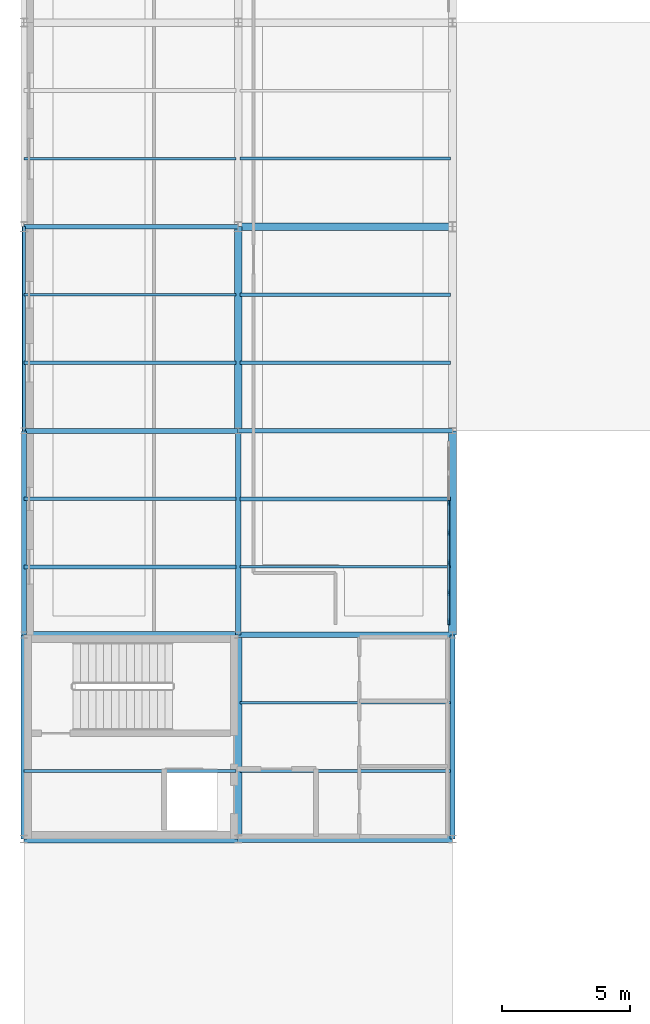
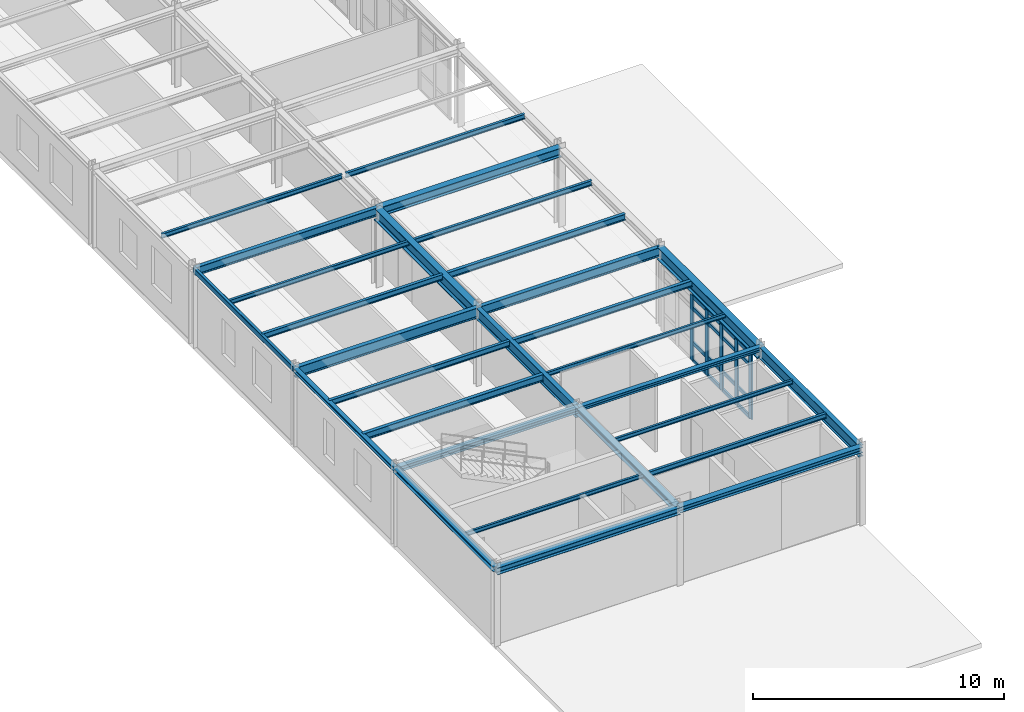
# One storey, part 14 of 58: 29 beams, 21 members, 1 element without a shape of its own.
"""IFC4 building model written with IfcOpenShell, lengths in metres."""

import ifcopenshell
import ifcopenshell.guid

model = None  # the IFC model being written
_history = None  # IfcOwnerHistory: only IFC2X3 demands one
_inside = {}  # id of a spatial element -> (the spatial element, [elements in it])
_under = {}  # id of a project, library or spatial element -> (it, [spatial elements below it])
_declared = {}  # id of a project -> (the project, [libraries it declares])
_typed = {}  # id of a type object -> (the type object, [elements of that type])
_made_of = {}  # id of a material, layer set ... -> (it, [elements and type objects made of it])


def new_model(schema):
    """Start an empty IFC model of exactly this schema.

    Asked for "IFC4X3", IfcOpenShell would pick the latest addendum, in which some entities
    have other attributes; the version numbers below select the first issue.
    IFC2X3 requires an IfcOwnerHistory on every rooted entity: one is made here for all.
    """
    global model, _history
    if schema == "IFC4X3":
        model = ifcopenshell.file(schema_version=(4, 3, 0, 0))
    else:
        model = ifcopenshell.file(schema=schema)
    _inside.clear()
    _under.clear()
    _declared.clear()
    _typed.clear()
    _made_of.clear()
    _history = None
    if model.schema == "IFC2X3":
        org = make("IfcOrganization", Name="unknown")
        user = make(
            "IfcPersonAndOrganization",
            ThePerson=make("IfcPerson", FamilyName="unknown"),
            TheOrganization=org,
        )
        app = make(
            "IfcApplication",
            ApplicationDeveloper=org,
            Version="unknown",
            ApplicationFullName="unknown",
            ApplicationIdentifier="unknown",
        )
        _history = make(
            "IfcOwnerHistory",
            OwningUser=user,
            OwningApplication=app,
            ChangeAction="ADDED",
            CreationDate=0,
        )
    return model


def make(cls, **values):
    """One entity of the class cls with the attributes given. An attribute that is None is left unset."""
    return model.create_entity(
        cls, **{name: value for name, value in values.items() if value is not None}
    )


def rooted(cls, **values):
    """An entity with a GlobalId (a new one), such as an element, a storey or a relation."""
    return make(cls, GlobalId=ifcopenshell.guid.new(), OwnerHistory=_history, **values)


def si_unit(unit_type, name, prefix=None):
    """IfcSIUnit, for example si_unit("LENGTHUNIT", "METRE", prefix="MILLI")."""
    return make("IfcSIUnit", UnitType=unit_type, Prefix=prefix, Name=name)


def derived_unit(unit_type, elements):
    """IfcDerivedUnit: a product of units, each with its exponent."""
    return make(
        "IfcDerivedUnit",
        Elements=[
            make("IfcDerivedUnitElement", Unit=unit, Exponent=power)
            for unit, power in elements
        ],
        UnitType=unit_type,
    )


def assignment(units):
    """IfcUnitAssignment: the units of a project."""
    return None if units is None else make("IfcUnitAssignment", Units=units)


def point(xyz):
    """IfcCartesianPoint."""
    return None if xyz is None else make("IfcCartesianPoint", Coordinates=xyz)


def direction(xyz):
    """IfcDirection."""
    return None if xyz is None else make("IfcDirection", DirectionRatios=xyz)


def frame(location, z_axis=None, x_axis=None):
    """IfcAxis2Placement3D, a coordinate frame: its origin and axes. An axis left out is left unset."""
    return make(
        "IfcAxis2Placement3D",
        Location=point(location),
        Axis=direction(z_axis),
        RefDirection=direction(x_axis),
    )


def frame_2d(location, x_axis=None):
    """IfcAxis2Placement2D, a coordinate frame in the plane: its origin and x axis."""
    return make(
        "IfcAxis2Placement2D", Location=point(location), RefDirection=direction(x_axis)
    )


def origin():
    """The frame at (0, 0, 0) with its axes left unset."""
    return frame((0.0, 0.0, 0.0))


def origin_2d():
    """The frame at (0, 0) in the plane with its x axis left unset."""
    return frame_2d((0.0, 0.0))


def place(relative_to, where):
    """IfcLocalPlacement: puts the frame where relative to a parent placement (None: the world)."""
    return make(
        "IfcLocalPlacement", PlacementRelTo=relative_to, RelativePlacement=where
    )


def context(
    kind, dimensions, precision=None, world=None, true_north=None, identifier=None
):
    """IfcGeometricRepresentationContext, for example the 3D "Model" context."""
    return make(
        "IfcGeometricRepresentationContext",
        ContextIdentifier=identifier,
        ContextType=kind,
        CoordinateSpaceDimension=dimensions,
        Precision=precision,
        WorldCoordinateSystem=world,
        TrueNorth=true_north,
    )


def subcontext(parent, identifier, kind, view, scale=None):
    """IfcGeometricRepresentationSubContext, for example "Body" below "Model"."""
    return make(
        "IfcGeometricRepresentationSubContext",
        ContextIdentifier=identifier,
        ContextType=kind,
        ParentContext=parent,
        TargetScale=scale,
        TargetView=view,
    )


def project(units=None, contexts=None):
    """IfcProject with its units and contexts."""
    return rooted(
        "IfcProject",
        Name="project",
        RepresentationContexts=contexts,
        UnitsInContext=assignment(units),
    )


def spatial(cls, under=None, at=None, **own):
    """A site, building, storey or space (cls), placed at a placement, below another one or the project."""
    s = rooted(cls, ObjectPlacement=at, **own)
    if under is not None:
        _under.setdefault(under.id(), (under, []))[1].append(s)
    return s


def profile(cls, at=None, kind="AREA", **sizes):
    """A parametric profile (cls). Its sizes go by their IFC names, for example OverallWidth=200.0."""
    return make(cls, ProfileType=kind, Position=at, **sizes)


def rectangle(**sizes):
    """IfcRectangleProfileDef."""
    return profile("IfcRectangleProfileDef", **sizes)


def hollow_rectangle(**sizes):
    """IfcRectangleHollowProfileDef."""
    return profile("IfcRectangleHollowProfileDef", **sizes)


def i_section(**sizes):
    """IfcIShapeProfileDef."""
    return profile("IfcIShapeProfileDef", **sizes)


def extrude(swept, where, along, depth):
    """IfcExtrudedAreaSolid: the profile swept, set in the frame where, extruded along a direction by depth."""
    return make(
        "IfcExtrudedAreaSolid",
        SweptArea=swept,
        Position=where,
        ExtrudedDirection=direction(along),
        Depth=depth,
    )


def shape(context_of_items, identifier, shape_type, items):
    """IfcShapeRepresentation: the items that make up one representation, for example the "Body"."""
    return make(
        "IfcShapeRepresentation",
        ContextOfItems=context_of_items,
        RepresentationIdentifier=identifier,
        RepresentationType=shape_type,
        Items=items,
    )


def material(Name=None, Category=None):
    """IfcMaterial."""
    return make("IfcMaterial", Name=Name, Category=Category)


def layer(
    of_material, thickness, ventilated=None, Name=None, Category=None, Priority=None
):
    """IfcMaterialLayer: one layer of a wall or slab, of a material (None: an air gap)."""
    return make(
        "IfcMaterialLayer",
        Material=of_material,
        LayerThickness=thickness,
        IsVentilated=ventilated,
        Name=Name,
        Category=Category,
        Priority=Priority,
    )


def layer_set(layers, Name=None):
    """IfcMaterialLayerSet."""
    return make("IfcMaterialLayerSet", MaterialLayers=layers, LayerSetName=Name)


def material_profile(
    of_material, cross_section, Name=None, Category=None, Priority=None
):
    """IfcMaterialProfile: a cross section and its material."""
    return make(
        "IfcMaterialProfile",
        Name=Name,
        Material=of_material,
        Profile=cross_section,
        Priority=Priority,
        Category=Category,
    )


def profile_set(profiles, Name=None, composite=None):
    """IfcMaterialProfileSet."""
    return make(
        "IfcMaterialProfileSet",
        Name=Name,
        MaterialProfiles=profiles,
        CompositeProfile=composite,
    )


def made_of(thing, what):
    """Note that an element or type object is made of a material, layer set ...; save() writes the relation."""
    if what is not None:
        _made_of.setdefault(what.id(), (what, []))[1].append(thing)
    return thing


def type_object(cls, material=None, **own):
    """A type object (cls), such as IfcWallType, which elements share."""
    return made_of(rooted(cls, **own), material)


def element(
    cls,
    number,
    at=None,
    inside=None,
    cuts=None,
    type_object=None,
    material=None,
    context=None,
    identifier="Body",
    shape_type=None,
    held_by="IfcProductDefinitionShape",
    body=None,
    shapes=None,
    **own,
):
    """One element of the class cls, such as IfcWall. Its Tag is "e" and its number.

    at: its placement. inside: the storey or other place that contains it. cuts: it is an
    opening in that element (IfcRelVoidsElement). A single representation is given by context,
    identifier, shape_type and body (its items); several are given by shapes. held_by: the class
    of the entity that holds the representations. save() writes the other relations.
    """
    e = rooted(cls, Tag="e%d" % number, ObjectPlacement=at, **own)
    if body is not None:
        shapes = [shape(context, identifier, shape_type, body)]
    if shapes is not None:
        e.Representation = make(held_by, Representations=shapes)
    if inside is not None:
        _inside.setdefault(inside.id(), (inside, []))[1].append(e)
    if cuts is not None:
        rooted(
            "IfcRelVoidsElement", RelatingBuildingElement=cuts, RelatedOpeningElement=e
        )
    if type_object is not None:
        _typed.setdefault(type_object.id(), (type_object, []))[1].append(e)
    return made_of(e, material)


def aggregate(whole, parts):
    """IfcRelAggregates: a whole, such as a stair, and the parts it consists of."""
    return rooted("IfcRelAggregates", RelatingObject=whole, RelatedObjects=parts)


def save(model, path):
    """Write the relations noted so far, then the file.

    IfcRelAggregates (storeys below a building ...), IfcRelContainedInSpatialStructure (elements
    in a storey), IfcRelDefinesByType, IfcRelAssociatesMaterial and IfcRelDeclares: one each for
    every whole, place, type object, material and project.
    """
    for whole, parts in _under.values():
        aggregate(whole, parts)
    for where, things in _inside.values():
        rooted(
            "IfcRelContainedInSpatialStructure",
            RelatedElements=things,
            RelatingStructure=where,
        )
    for kind, things in _typed.values():
        rooted("IfcRelDefinesByType", RelatedObjects=things, RelatingType=kind)
    for what, things in _made_of.values():
        rooted("IfcRelAssociatesMaterial", RelatedObjects=things, RelatingMaterial=what)
    for by, libraries in _declared.values():
        rooted("IfcRelDeclares", RelatingContext=by, RelatedDefinitions=libraries)
    model.write(path)


model = new_model("IFC4")

# Units and contexts
model_context = context("Model", 3, precision=1e-05, world=origin(), true_north=direction((0.0, 1.0)))
body_context = subcontext(model_context, "Body", "Model", "MODEL_VIEW")
ifc_project = project(units=[si_unit("LENGTHUNIT", "METRE"), si_unit("AREAUNIT", "SQUARE_METRE"), si_unit("VOLUMEUNIT", "CUBIC_METRE"), si_unit("PLANEANGLEUNIT", "RADIAN"), si_unit("MASSUNIT", "GRAM", prefix="KILO"), derived_unit("THERMALTRANSMITTANCEUNIT", [(si_unit("POWERUNIT", "WATT"), 1), (si_unit("AREAUNIT", "SQUARE_METRE"), -1), (si_unit("THERMODYNAMICTEMPERATUREUNIT", "KELVIN"), -1)])], contexts=[model_context])

# Site, building, storey
site_placement = place(None, origin())
site = spatial("IfcSite", under=ifc_project, at=site_placement, CompositionType="ELEMENT")
building_placement = place(site_placement, origin())
building = spatial("IfcBuilding", under=site, at=building_placement, Name="Yasenodar Specialist Clinic", CompositionType="ELEMENT")
storey_placement = place(building_placement, frame((0.0, 0.0, 17.25)))
storey = spatial("IfcBuildingStorey", under=building, at=storey_placement, Name="L04", CompositionType="ELEMENT", Elevation=17.25)

# Beams
ifc_material_1 = material(Name="Steel S355", Category="steel")
ifc_material_profile_1 = material_profile(ifc_material_1, i_section(OverallWidth=0.219970703125, OverallDepth=0.2099609375, WebThickness=0.007080078125, FlangeThickness=0.010986328125, FilletRadius=0.01806640625, at=origin_2d()), Name="HEA 220")
ifc_profile_set_1 = profile_set([ifc_material_profile_1], Name="Steel S355")
beam_type_1 = type_object("IfcBeamType", Name="BM-HEA220", PredefinedType="BEAM", material=ifc_profile_set_1)
beam_1_placement = place(storey_placement, frame((8.39990234375, 42.800048828125, 3.695068359375), z_axis=(1.0, 0.0, 0.0), x_axis=(0.0, 1.0, 0.0)))
element("IfcBeam", 1, at=beam_1_placement, inside=storey, type_object=beam_type_1, Name="L04 Primary E-W Girder", PredefinedType="BEAM", context=body_context, shape_type="SweptSolid", body=[
    extrude(i_section(OverallWidth=0.219970703125, OverallDepth=0.2099609375, WebThickness=0.007080078125, FlangeThickness=0.010986328125, FilletRadius=0.01806640625, at=origin_2d()), origin(), (0.0, 0.0, 1.0), 8.400146484375),
])
ifc_material_profile_2 = material_profile(ifc_material_1, i_section(OverallWidth=0.260009765625, OverallDepth=0.25, WebThickness=0.007568359375, FlangeThickness=0.012451171875, FilletRadius=0.02392578125, at=origin_2d()), Name="HEA 260")
ifc_profile_set_2 = profile_set([ifc_material_profile_2], Name="Steel S355")
beam_type_2 = type_object("IfcBeamType", Name="BM-HEA260", PredefinedType="BEAM", material=ifc_profile_set_2)
beam_2_placement = place(storey_placement, frame((0.0, 42.800048828125, 3.675048828125), z_axis=(1.0, 0.0, 0.0), x_axis=(0.0, 1.0, 0.0)))
element("IfcBeam", 2, at=beam_2_placement, inside=storey, type_object=beam_type_2, Name="L04 Primary E-W Girder", PredefinedType="BEAM", context=body_context, shape_type="SweptSolid", body=[
    extrude(i_section(OverallWidth=0.260009765625, OverallDepth=0.25, WebThickness=0.007568359375, FlangeThickness=0.012451171875, FilletRadius=0.02392578125, at=origin_2d()), origin(), (0.0, 0.0, 1.0), 8.39990234375),
])
ifc_material_profile_3 = material_profile(ifc_material_1, i_section(OverallWidth=0.280029296875, OverallDepth=0.27001953125, WebThickness=0.008056640625, FlangeThickness=0.012939453125, FilletRadius=0.02392578125, at=origin_2d()), Name="HEA 280")
ifc_profile_set_3 = profile_set([ifc_material_profile_3], Name="Steel S355")
beam_type_3 = type_object("IfcBeamType", Name="BM-HEA280", PredefinedType="BEAM", material=ifc_profile_set_3)
beam_3_placement = place(storey_placement, frame((8.39990234375, 34.800048828125, 3.6650390625), z_axis=(1.0, 0.0, 0.0), x_axis=(0.0, 1.0, 0.0)))
element("IfcBeam", 3, at=beam_3_placement, inside=storey, type_object=beam_type_3, Name="L04 Primary E-W Girder", PredefinedType="BEAM", context=body_context, shape_type="SweptSolid", body=[
    extrude(i_section(OverallWidth=0.280029296875, OverallDepth=0.27001953125, WebThickness=0.008056640625, FlangeThickness=0.012939453125, FilletRadius=0.02392578125, at=origin_2d()), origin(), (0.0, 0.0, 1.0), 8.400146484375),
])
ifc_material_profile_4 = material_profile(ifc_material_1, i_section(OverallWidth=0.300048828125, OverallDepth=0.2900390625, WebThickness=0.008544921875, FlangeThickness=0.013916015625, FilletRadius=0.027099609375, at=origin_2d()), Name="HEA 300")
ifc_profile_set_4 = profile_set([ifc_material_profile_4], Name="Steel S355")
beam_type_4 = type_object("IfcBeamType", Name="BM-HEA300", PredefinedType="BEAM", material=ifc_profile_set_4)
beam_4_placement = place(storey_placement, frame((8.39990234375, 34.800048828125, 3.655029296875), z_axis=(0.0, 1.0, 0.0), x_axis=(-1.0, 0.0, 0.0)))
element("IfcBeam", 4, at=beam_4_placement, inside=storey, type_object=beam_type_4, Name="L04 Primary N-S Girder", PredefinedType="BEAM", context=body_context, shape_type="SweptSolid", body=[
    extrude(i_section(OverallWidth=0.300048828125, OverallDepth=0.2900390625, WebThickness=0.008544921875, FlangeThickness=0.013916015625, FilletRadius=0.027099609375, at=origin_2d()), origin(), (0.0, 0.0, 1.0), 8.0),
])
ifc_material_profile_5 = material_profile(ifc_material_1, i_section(OverallWidth=0.300048828125, OverallDepth=0.330078125, WebThickness=0.009521484375, FlangeThickness=0.0166015625, FilletRadius=0.027099609375, at=origin_2d()), Name="HEA 340")
ifc_profile_set_5 = profile_set([ifc_material_profile_5], Name="Steel S355")
beam_type_5 = type_object("IfcBeamType", Name="BM-HEA340", PredefinedType="BEAM", material=ifc_profile_set_5)
beam_5_placement = place(storey_placement, frame((0.0, 34.800048828125, 3.635009765625), z_axis=(1.0, 0.0, 0.0), x_axis=(0.0, 1.0, 0.0)))
element("IfcBeam", 5, at=beam_5_placement, inside=storey, type_object=beam_type_5, Name="L04 Primary E-W Girder", PredefinedType="BEAM", context=body_context, shape_type="SweptSolid", body=[
    extrude(i_section(OverallWidth=0.300048828125, OverallDepth=0.330078125, WebThickness=0.009521484375, FlangeThickness=0.0166015625, FilletRadius=0.027099609375, at=origin_2d()), origin(), (0.0, 0.0, 1.0), 8.39990234375),
])
ifc_material_profile_6 = material_profile(ifc_material_1, i_section(OverallWidth=0.300048828125, OverallDepth=0.43994140625, WebThickness=0.011474609375, FlangeThickness=0.02099609375, FilletRadius=0.027099609375, at=origin_2d()), Name="HEA 450")
ifc_profile_set_6 = profile_set([ifc_material_profile_6], Name="Steel S355")
beam_type_6 = type_object("IfcBeamType", Name="BM-HEA450", PredefinedType="BEAM", material=ifc_profile_set_6)
beam_6_placement = place(storey_placement, frame((8.39990234375, 58.800048828125, 3.580078125), z_axis=(1.0, 0.0, 0.0), x_axis=(0.0, 1.0, 0.0)))
element("IfcBeam", 6, at=beam_6_placement, inside=storey, type_object=beam_type_6, Name="L04 Primary E-W Girder", PredefinedType="BEAM", context=body_context, shape_type="SweptSolid", body=[
    extrude(i_section(OverallWidth=0.300048828125, OverallDepth=0.43994140625, WebThickness=0.011474609375, FlangeThickness=0.02099609375, FilletRadius=0.027099609375, at=origin_2d()), origin(), (0.0, 0.0, 1.0), 8.400146484375),
])
ifc_material_profile_7 = material_profile(ifc_material_1, i_section(OverallWidth=0.300048828125, OverallDepth=0.60009765625, WebThickness=0.015380859375, FlangeThickness=0.030029296875, FilletRadius=0.027099609375, at=origin_2d()), Name="HEB 600")
ifc_profile_set_7 = profile_set([ifc_material_profile_7], Name="Steel S355")
beam_type_7 = type_object("IfcBeamType", Name="BM-HEB600", PredefinedType="BEAM", material=ifc_profile_set_7)
for number, where, z_axis, x_axis, name in (
    (7, (8.39990234375, 50.800048828125, 3.5), (0.0, 1.0, 0.0), (-1.0, 0.0, 0.0), "L04 Primary N-S Girder"),
    (8, (16.800048828125, 42.800048828125, 3.5), (0.0, 1.0, 0.0), (-1.0, 0.0, 0.0), "L04 Primary N-S Girder"),
):
    element("IfcBeam", number, at=place(storey_placement, frame(where, z_axis=z_axis, x_axis=x_axis)), inside=storey, type_object=beam_type_7, Name=name, PredefinedType="BEAM", context=body_context, shape_type="SweptSolid", body=[
        extrude(i_section(OverallWidth=0.300048828125, OverallDepth=0.60009765625, WebThickness=0.015380859375, FlangeThickness=0.030029296875, FilletRadius=0.027099609375, at=origin_2d()), origin(), (0.0, 0.0, 1.0), 8.0),
    ])
ifc_material_profile_8 = material_profile(ifc_material_1, i_section(OverallWidth=0.179931640625, OverallDepth=0.39990234375, WebThickness=0.008544921875, FlangeThickness=0.013427734375, FilletRadius=0.02099609375, at=origin_2d()), Name="IPE 400")
ifc_profile_set_8 = profile_set([ifc_material_profile_8], Name="Steel S355")
beam_type_8 = type_object("IfcBeamType", Name="BM-IPE400", PredefinedType="BEAM", material=ifc_profile_set_8)
beam_7_placement = place(storey_placement, frame((0.0, 58.800048828125, 3.60009765625), z_axis=(1.0, 0.0, 0.0), x_axis=(0.0, 1.0, 0.0)))
element("IfcBeam", 9, at=beam_7_placement, inside=storey, type_object=beam_type_8, Name="L04 Primary E-W Girder", PredefinedType="BEAM", context=body_context, shape_type="SweptSolid", body=[
    extrude(i_section(OverallWidth=0.179931640625, OverallDepth=0.39990234375, WebThickness=0.008544921875, FlangeThickness=0.013427734375, FilletRadius=0.02099609375, at=origin_2d()), origin(), (0.0, 0.0, 1.0), 8.39990234375),
])
ifc_material_profile_9 = material_profile(ifc_material_1, i_section(OverallWidth=0.18994140625, OverallDepth=0.449951171875, WebThickness=0.009521484375, FlangeThickness=0.0146484375, FilletRadius=0.02099609375, at=origin_2d()), Name="IPE 450")
ifc_profile_set_9 = profile_set([ifc_material_profile_9], Name="Steel S355")
beam_type_9 = type_object("IfcBeamType", Name="BM-IPE450", PredefinedType="BEAM", material=ifc_profile_set_9)
beam_8_placement = place(storey_placement, frame((8.39990234375, 50.800048828125, 3.574951171875), z_axis=(1.0, 0.0, 0.0), x_axis=(0.0, 1.0, 0.0)))
element("IfcBeam", 10, at=beam_8_placement, inside=storey, type_object=beam_type_9, Name="L04 Primary E-W Girder", PredefinedType="BEAM", context=body_context, shape_type="SweptSolid", body=[
    extrude(i_section(OverallWidth=0.18994140625, OverallDepth=0.449951171875, WebThickness=0.009521484375, FlangeThickness=0.0146484375, FilletRadius=0.02099609375, at=origin_2d()), origin(), (0.0, 0.0, 1.0), 8.400146484375),
])
ifc_material_profile_10 = material_profile(ifc_material_1, i_section(OverallWidth=0.199951171875, OverallDepth=0.5, WebThickness=0.01025390625, FlangeThickness=0.01611328125, FilletRadius=0.02099609375, at=origin_2d()), Name="IPE 500")
ifc_profile_set_10 = profile_set([ifc_material_profile_10], Name="Steel S355")
beam_type_10 = type_object("IfcBeamType", Name="BM-IPE500", PredefinedType="BEAM", material=ifc_profile_set_10)
beam_9_placement = place(storey_placement, frame((0.0, 50.800048828125, 3.550048828125), z_axis=(1.0, 0.0, 0.0), x_axis=(0.0, 1.0, 0.0)))
element("IfcBeam", 11, at=beam_9_placement, inside=storey, type_object=beam_type_10, Name="L04 Primary E-W Girder", PredefinedType="BEAM", context=body_context, shape_type="SweptSolid", body=[
    extrude(i_section(OverallWidth=0.199951171875, OverallDepth=0.5, WebThickness=0.01025390625, FlangeThickness=0.01611328125, FilletRadius=0.02099609375, at=origin_2d()), origin(), (0.0, 0.0, 1.0), 8.39990234375),
])
ifc_material_profile_11 = material_profile(ifc_material_1, i_section(OverallWidth=0.2099609375, OverallDepth=0.550048828125, WebThickness=0.010986328125, FlangeThickness=0.01708984375, FilletRadius=0.02392578125, at=origin_2d()), Name="IPE 550")
ifc_profile_set_11 = profile_set([ifc_material_profile_11], Name="Steel S355")
beam_type_11 = type_object("IfcBeamType", Name="BM-IPE550", PredefinedType="BEAM", material=ifc_profile_set_11)
for number, where, z_axis, x_axis, name in (
    (12, (8.39990234375, 42.800048828125, 3.52490234375), (0.0, 1.0, 0.0), (-1.0, 0.0, 0.0), "L04 Primary N-S Girder"),
    (13, (16.800048828125, 34.800048828125, 3.52490234375), (0.0, 1.0, 0.0), (-1.0, 0.0, 0.0), "L04 Primary N-S Girder"),
):
    element("IfcBeam", number, at=place(storey_placement, frame(where, z_axis=z_axis, x_axis=x_axis)), inside=storey, type_object=beam_type_11, Name=name, PredefinedType="BEAM", context=body_context, shape_type="SweptSolid", body=[
        extrude(i_section(OverallWidth=0.2099609375, OverallDepth=0.550048828125, WebThickness=0.010986328125, FlangeThickness=0.01708984375, FilletRadius=0.02392578125, at=origin_2d()), origin(), (0.0, 0.0, 1.0), 8.0),
    ])

# Curtain wall, members
ifc_material_2 = material(Name="Bronze Anodized Aluminium and Triple Low-E Glass", Category="aluminium")
ifc_layer = layer(ifc_material_2, 0.202880859375)
ifc_layer_set = layer_set([ifc_layer], Name="Bronze Anodized Aluminium and Triple Low-E Glass")
curtain_wall_type = type_object("IfcCurtainWallType", Name="CW-SYS-04", PredefinedType="USERDEFINED", material=ifc_layer_set)
curtain_wall_placement = place(storey_placement, origin())
curtain_wall = element("IfcCurtainWall", 14, at=curtain_wall_placement, inside=storey, type_object=curtain_wall_type, Name="L04 Unitised Curtain Wall 140", ObjectType="UNITISED CURTAIN WALL", PredefinedType="USERDEFINED")
ifc_material_3 = material(Name="Bronze Anodized Aluminium", Category="aluminium")
ifc_material_profile_12 = material_profile(ifc_material_3, rectangle(XDim=0.074951171875, YDim=0.22509765625, at=origin_2d()), Name="CW-MULL 75x225")
ifc_profile_set_12 = profile_set([ifc_material_profile_12], Name="Bronze Anodized Aluminium")
member_type_1 = type_object("IfcMemberType", Name="CW-MULL-225", PredefinedType="MULLION", material=ifc_profile_set_12)
member_1_placement = place(storey_placement, frame((16.64990234375, 47.973388671875, 0.0), z_axis=(0.0, 0.0, 1.0), x_axis=(1.0, 0.0, 0.0)))
member_1 = element("IfcMember", 15, at=member_1_placement, type_object=member_type_1, Name="CW-04 mullion 3", PredefinedType="MULLION", context=body_context, shape_type="SweptSolid", body=[
    extrude(rectangle(XDim=0.074951171875, YDim=0.22509765625, at=origin_2d()), origin(), (0.0, 0.0, 1.0), 3.177978515625),
])
member_2_placement = place(storey_placement, frame((16.64990234375, 46.800048828125, 0.0), z_axis=(0.0, 0.0, 1.0), x_axis=(1.0, 0.0, 0.0)))
member_2 = element("IfcMember", 16, at=member_2_placement, type_object=member_type_1, Name="CW-04 mullion 4", PredefinedType="MULLION", context=body_context, shape_type="SweptSolid", body=[
    extrude(rectangle(XDim=0.074951171875, YDim=0.22509765625, at=origin_2d()), origin(), (0.0, 0.0, 1.0), 3.177978515625),
])
member_3_placement = place(storey_placement, frame((16.64990234375, 45.626708984375, 0.0), z_axis=(0.0, 0.0, 1.0), x_axis=(1.0, 0.0, 0.0)))
member_3 = element("IfcMember", 17, at=member_3_placement, type_object=member_type_1, Name="CW-04 mullion 5", PredefinedType="MULLION", context=body_context, shape_type="SweptSolid", body=[
    extrude(rectangle(XDim=0.074951171875, YDim=0.22509765625, at=origin_2d()), origin(), (0.0, 0.0, 1.0), 3.177978515625),
])
member_4_placement = place(storey_placement, frame((16.64990234375, 44.453369140625, 0.0), z_axis=(0.0, 0.0, 1.0), x_axis=(1.0, 0.0, 0.0)))
member_4 = element("IfcMember", 18, at=member_4_placement, type_object=member_type_1, Name="CW-04 mullion 6", PredefinedType="MULLION", context=body_context, shape_type="SweptSolid", body=[
    extrude(rectangle(XDim=0.074951171875, YDim=0.22509765625, at=origin_2d()), origin(), (0.0, 0.0, 1.0), 3.177978515625),
])
member_5_placement = place(storey_placement, frame((16.64990234375, 43.3173828125, 0.0), z_axis=(0.0, 0.0, 1.0), x_axis=(1.0, 0.0, 0.0)))
member_5 = element("IfcMember", 19, at=member_5_placement, type_object=member_type_1, Name="CW-04 mullion 7", PredefinedType="MULLION", context=body_context, shape_type="SweptSolid", body=[
    extrude(rectangle(XDim=0.074951171875, YDim=0.22509765625, at=origin_2d()), origin(), (0.0, 0.0, 1.0), 3.177978515625),
])
ifc_material_profile_13 = material_profile(ifc_material_3, rectangle(XDim=0.074951171875, YDim=0.175048828125, at=origin_2d()), Name="CW-TRAN 75x175")
ifc_profile_set_13 = profile_set([ifc_material_profile_13], Name="Bronze Anodized Aluminium")
member_type_2 = type_object("IfcMemberType", Name="CW-TRAN-175", PredefinedType="USERDEFINED", material=ifc_profile_set_13)
member_6_placement = place(storey_placement, frame((16.64990234375, 47.935791015625, 0.03759765625), z_axis=(0.0, -1.0, 0.0), x_axis=(1.0, 0.0, 0.0)))
member_6 = element("IfcMember", 20, at=member_6_placement, type_object=member_type_2, Name="CW-04 transom 3.1", ObjectType="TRANSOM", PredefinedType="USERDEFINED", context=body_context, shape_type="SweptSolid", body=[
    extrude(rectangle(XDim=0.074951171875, YDim=0.175048828125, at=origin_2d()), origin(), (0.0, 0.0, 1.0), 1.098388671875),
])
member_7_placement = place(storey_placement, frame((16.64990234375, 47.935791015625, 0.89990234375), z_axis=(0.0, -1.0, 0.0), x_axis=(1.0, 0.0, 0.0)))
member_7 = element("IfcMember", 21, at=member_7_placement, type_object=member_type_2, Name="CW-04 transom 3.2", ObjectType="TRANSOM", PredefinedType="USERDEFINED", context=body_context, shape_type="SweptSolid", body=[
    extrude(rectangle(XDim=0.074951171875, YDim=0.175048828125, at=origin_2d()), origin(), (0.0, 0.0, 1.0), 1.098388671875),
])
member_8_placement = place(storey_placement, frame((16.64990234375, 47.935791015625, 2.577880859375), z_axis=(0.0, -1.0, 0.0), x_axis=(1.0, 0.0, 0.0)))
member_8 = element("IfcMember", 22, at=member_8_placement, type_object=member_type_2, Name="CW-04 transom 3.3", ObjectType="TRANSOM", PredefinedType="USERDEFINED", context=body_context, shape_type="SweptSolid", body=[
    extrude(rectangle(XDim=0.074951171875, YDim=0.175048828125, at=origin_2d()), origin(), (0.0, 0.0, 1.0), 1.098388671875),
])
member_9_placement = place(storey_placement, frame((16.64990234375, 47.935791015625, 3.140380859375), z_axis=(0.0, -1.0, 0.0), x_axis=(1.0, 0.0, 0.0)))
member_9 = element("IfcMember", 23, at=member_9_placement, type_object=member_type_2, Name="CW-04 transom 3.4", ObjectType="TRANSOM", PredefinedType="USERDEFINED", context=body_context, shape_type="SweptSolid", body=[
    extrude(rectangle(XDim=0.074951171875, YDim=0.175048828125, at=origin_2d()), origin(), (0.0, 0.0, 1.0), 1.098388671875),
])
member_10_placement = place(storey_placement, frame((16.64990234375, 46.762451171875, 0.03759765625), z_axis=(0.0, -1.0, 0.0), x_axis=(1.0, 0.0, 0.0)))
member_10 = element("IfcMember", 24, at=member_10_placement, type_object=member_type_2, Name="CW-04 transom 4.1", ObjectType="TRANSOM", PredefinedType="USERDEFINED", context=body_context, shape_type="SweptSolid", body=[
    extrude(rectangle(XDim=0.074951171875, YDim=0.175048828125, at=origin_2d()), origin(), (0.0, 0.0, 1.0), 1.098388671875),
])
member_11_placement = place(storey_placement, frame((16.64990234375, 46.762451171875, 0.89990234375), z_axis=(0.0, -1.0, 0.0), x_axis=(1.0, 0.0, 0.0)))
member_11 = element("IfcMember", 25, at=member_11_placement, type_object=member_type_2, Name="CW-04 transom 4.2", ObjectType="TRANSOM", PredefinedType="USERDEFINED", context=body_context, shape_type="SweptSolid", body=[
    extrude(rectangle(XDim=0.074951171875, YDim=0.175048828125, at=origin_2d()), origin(), (0.0, 0.0, 1.0), 1.098388671875),
])
member_12_placement = place(storey_placement, frame((16.64990234375, 46.762451171875, 2.577880859375), z_axis=(0.0, -1.0, 0.0), x_axis=(1.0, 0.0, 0.0)))
member_12 = element("IfcMember", 26, at=member_12_placement, type_object=member_type_2, Name="CW-04 transom 4.3", ObjectType="TRANSOM", PredefinedType="USERDEFINED", context=body_context, shape_type="SweptSolid", body=[
    extrude(rectangle(XDim=0.074951171875, YDim=0.175048828125, at=origin_2d()), origin(), (0.0, 0.0, 1.0), 1.098388671875),
])
member_13_placement = place(storey_placement, frame((16.64990234375, 46.762451171875, 3.140380859375), z_axis=(0.0, -1.0, 0.0), x_axis=(1.0, 0.0, 0.0)))
member_13 = element("IfcMember", 27, at=member_13_placement, type_object=member_type_2, Name="CW-04 transom 4.4", ObjectType="TRANSOM", PredefinedType="USERDEFINED", context=body_context, shape_type="SweptSolid", body=[
    extrude(rectangle(XDim=0.074951171875, YDim=0.175048828125, at=origin_2d()), origin(), (0.0, 0.0, 1.0), 1.098388671875),
])
member_14_placement = place(storey_placement, frame((16.64990234375, 45.589111328125, 0.03759765625), z_axis=(0.0, -1.0, 0.0), x_axis=(1.0, 0.0, 0.0)))
member_14 = element("IfcMember", 28, at=member_14_placement, type_object=member_type_2, Name="CW-04 transom 5.1", ObjectType="TRANSOM", PredefinedType="USERDEFINED", context=body_context, shape_type="SweptSolid", body=[
    extrude(rectangle(XDim=0.074951171875, YDim=0.175048828125, at=origin_2d()), origin(), (0.0, 0.0, 1.0), 1.098388671875),
])
member_15_placement = place(storey_placement, frame((16.64990234375, 45.589111328125, 0.89990234375), z_axis=(0.0, -1.0, 0.0), x_axis=(1.0, 0.0, 0.0)))
member_15 = element("IfcMember", 29, at=member_15_placement, type_object=member_type_2, Name="CW-04 transom 5.2", ObjectType="TRANSOM", PredefinedType="USERDEFINED", context=body_context, shape_type="SweptSolid", body=[
    extrude(rectangle(XDim=0.074951171875, YDim=0.175048828125, at=origin_2d()), origin(), (0.0, 0.0, 1.0), 1.098388671875),
])
member_16_placement = place(storey_placement, frame((16.64990234375, 45.589111328125, 2.577880859375), z_axis=(0.0, -1.0, 0.0), x_axis=(1.0, 0.0, 0.0)))
member_16 = element("IfcMember", 30, at=member_16_placement, type_object=member_type_2, Name="CW-04 transom 5.3", ObjectType="TRANSOM", PredefinedType="USERDEFINED", context=body_context, shape_type="SweptSolid", body=[
    extrude(rectangle(XDim=0.074951171875, YDim=0.175048828125, at=origin_2d()), origin(), (0.0, 0.0, 1.0), 1.098388671875),
])
member_17_placement = place(storey_placement, frame((16.64990234375, 45.589111328125, 3.140380859375), z_axis=(0.0, -1.0, 0.0), x_axis=(1.0, 0.0, 0.0)))
member_17 = element("IfcMember", 31, at=member_17_placement, type_object=member_type_2, Name="CW-04 transom 5.4", ObjectType="TRANSOM", PredefinedType="USERDEFINED", context=body_context, shape_type="SweptSolid", body=[
    extrude(rectangle(XDim=0.074951171875, YDim=0.175048828125, at=origin_2d()), origin(), (0.0, 0.0, 1.0), 1.098388671875),
])
member_18_placement = place(storey_placement, frame((16.64990234375, 44.415771484375, 0.03759765625), z_axis=(0.0, -1.0, 0.0), x_axis=(1.0, 0.0, 0.0)))
member_18 = element("IfcMember", 32, at=member_18_placement, type_object=member_type_2, Name="CW-04 transom 6.1", ObjectType="TRANSOM", PredefinedType="USERDEFINED", context=body_context, shape_type="SweptSolid", body=[
    extrude(rectangle(XDim=0.074951171875, YDim=0.175048828125, at=origin_2d()), origin(), (0.0, 0.0, 1.0), 1.060791015625),
])
member_19_placement = place(storey_placement, frame((16.64990234375, 44.415771484375, 0.89990234375), z_axis=(0.0, -1.0, 0.0), x_axis=(1.0, 0.0, 0.0)))
member_19 = element("IfcMember", 33, at=member_19_placement, type_object=member_type_2, Name="CW-04 transom 6.2", ObjectType="TRANSOM", PredefinedType="USERDEFINED", context=body_context, shape_type="SweptSolid", body=[
    extrude(rectangle(XDim=0.074951171875, YDim=0.175048828125, at=origin_2d()), origin(), (0.0, 0.0, 1.0), 1.060791015625),
])
member_20_placement = place(storey_placement, frame((16.64990234375, 44.415771484375, 2.577880859375), z_axis=(0.0, -1.0, 0.0), x_axis=(1.0, 0.0, 0.0)))
member_20 = element("IfcMember", 34, at=member_20_placement, type_object=member_type_2, Name="CW-04 transom 6.3", ObjectType="TRANSOM", PredefinedType="USERDEFINED", context=body_context, shape_type="SweptSolid", body=[
    extrude(rectangle(XDim=0.074951171875, YDim=0.175048828125, at=origin_2d()), origin(), (0.0, 0.0, 1.0), 1.060791015625),
])
member_21_placement = place(storey_placement, frame((16.64990234375, 44.415771484375, 3.140380859375), z_axis=(0.0, -1.0, 0.0), x_axis=(1.0, 0.0, 0.0)))
member_21 = element("IfcMember", 35, at=member_21_placement, type_object=member_type_2, Name="CW-04 transom 6.4", ObjectType="TRANSOM", PredefinedType="USERDEFINED", context=body_context, shape_type="SweptSolid", body=[
    extrude(rectangle(XDim=0.074951171875, YDim=0.175048828125, at=origin_2d()), origin(), (0.0, 0.0, 1.0), 1.060791015625),
])
aggregate(curtain_wall, [member_1, member_2, member_3, member_4, member_5, member_6, member_7, member_8, member_9, member_10, member_11, member_12, member_13, member_14, member_15, member_16, member_17, member_18, member_19, member_20, member_21])

# Beams
ifc_material_profile_14 = material_profile(ifc_material_1, i_section(OverallWidth=0.10009765625, OverallDepth=0.199951171875, WebThickness=0.005615234375, FlangeThickness=0.008544921875, FilletRadius=0.011962890625, at=origin_2d()), Name="IPE 200")
ifc_profile_set_14 = profile_set([ifc_material_profile_14], Name="Steel S355")
beam_type_12 = type_object("IfcBeamType", Name="JS-IPE200", PredefinedType="JOIST", material=ifc_profile_set_14)
beam_10_placement = place(storey_placement, frame((0.014892578125, 37.466796875, 3.699951171875), z_axis=(1.0, 0.0, 0.0), x_axis=(0.0, 1.0, 0.0)))
element("IfcBeam", 36, at=beam_10_placement, inside=storey, type_object=beam_type_12, Name="L04 Composite Floor Joist", PredefinedType="JOIST", context=body_context, shape_type="SweptSolid", body=[
    extrude(i_section(OverallWidth=0.10009765625, OverallDepth=0.199951171875, WebThickness=0.005615234375, FlangeThickness=0.008544921875, FilletRadius=0.011962890625, at=origin_2d()), origin(), (0.0, 0.0, 1.0), 8.30517578125),
])
for number, where, z_axis, x_axis, name in (
    (37, (8.47998046875, 40.13330078125, 3.699951171875), (1.0, 0.0, 0.0), (0.0, 1.0, 0.0), "L04 Composite Floor Joist"),
    (38, (8.47998046875, 45.466796875, 3.699951171875), (1.0, 0.0, 0.0), (0.0, 1.0, 0.0), "L04 Composite Floor Joist"),
):
    element("IfcBeam", number, at=place(storey_placement, frame(where, z_axis=z_axis, x_axis=x_axis)), inside=storey, type_object=beam_type_12, Name=name, PredefinedType="JOIST", context=body_context, shape_type="SweptSolid", body=[
        extrude(i_section(OverallWidth=0.10009765625, OverallDepth=0.199951171875, WebThickness=0.005615234375, FlangeThickness=0.008544921875, FilletRadius=0.011962890625, at=origin_2d()), origin(), (0.0, 0.0, 1.0), 8.239990234375),
    ])
ifc_material_profile_15 = material_profile(ifc_material_1, i_section(OverallWidth=0.110107421875, OverallDepth=0.219970703125, WebThickness=0.005859375, FlangeThickness=0.00927734375, FilletRadius=0.011962890625, at=origin_2d()), Name="IPE 220")
ifc_profile_set_15 = profile_set([ifc_material_profile_15], Name="Steel S355")
beam_type_13 = type_object("IfcBeamType", Name="JS-IPE220", PredefinedType="JOIST", material=ifc_profile_set_15)
for number, where, z_axis, x_axis, name in (
    (39, (0.014892578125, 56.13330078125, 3.68994140625), (1.0, 0.0, 0.0), (0.0, 1.0, 0.0), "L04 Composite Floor Joist"),
    (40, (0.014892578125, 61.466796875, 3.68994140625), (1.0, 0.0, 0.0), (0.0, 1.0, 0.0), "L04 Composite Floor Joist"),
):
    element("IfcBeam", number, at=place(storey_placement, frame(where, z_axis=z_axis, x_axis=x_axis)), inside=storey, type_object=beam_type_13, Name=name, PredefinedType="JOIST", context=body_context, shape_type="SweptSolid", body=[
        extrude(i_section(OverallWidth=0.110107421875, OverallDepth=0.219970703125, WebThickness=0.005859375, FlangeThickness=0.00927734375, FilletRadius=0.011962890625, at=origin_2d()), origin(), (0.0, 0.0, 1.0), 8.30517578125),
    ])
ifc_material_profile_16 = material_profile(ifc_material_1, i_section(OverallWidth=0.1201171875, OverallDepth=0.239990234375, WebThickness=0.006103515625, FlangeThickness=0.009765625, FilletRadius=0.014892578125, at=origin_2d()), Name="IPE 240")
ifc_profile_set_16 = profile_set([ifc_material_profile_16], Name="Steel S355")
beam_type_14 = type_object("IfcBeamType", Name="JS-IPE240", PredefinedType="JOIST", material=ifc_profile_set_16)
for number, where, z_axis, x_axis, name in (
    (41, (8.47998046875, 37.466796875, 3.679931640625), (1.0, 0.0, 0.0), (0.0, 1.0, 0.0), "L04 Composite Floor Joist"),
    (42, (8.47998046875, 56.13330078125, 3.679931640625), (1.0, 0.0, 0.0), (0.0, 1.0, 0.0), "L04 Composite Floor Joist"),
    (43, (8.47998046875, 61.466796875, 3.679931640625), (1.0, 0.0, 0.0), (0.0, 1.0, 0.0), "L04 Composite Floor Joist"),
):
    element("IfcBeam", number, at=place(storey_placement, frame(where, z_axis=z_axis, x_axis=x_axis)), inside=storey, type_object=beam_type_14, Name=name, PredefinedType="JOIST", context=body_context, shape_type="SweptSolid", body=[
        extrude(i_section(OverallWidth=0.1201171875, OverallDepth=0.239990234375, WebThickness=0.006103515625, FlangeThickness=0.009765625, FilletRadius=0.014892578125, at=origin_2d()), origin(), (0.0, 0.0, 1.0), 8.239990234375),
    ])
ifc_material_profile_17 = material_profile(ifc_material_1, i_section(OverallWidth=0.135009765625, OverallDepth=0.27001953125, WebThickness=0.006591796875, FlangeThickness=0.01025390625, FilletRadius=0.014892578125, at=origin_2d()), Name="IPE 270")
ifc_profile_set_17 = profile_set([ifc_material_profile_17], Name="Steel S355")
beam_type_15 = type_object("IfcBeamType", Name="JS-IPE270", PredefinedType="JOIST", material=ifc_profile_set_17)
for number, where, z_axis, x_axis, name in (
    (44, (0.014892578125, 48.13330078125, 3.6650390625), (1.0, 0.0, 0.0), (0.0, 1.0, 0.0), "L04 Composite Floor Joist"),
    (45, (0.014892578125, 53.466796875, 3.6650390625), (1.0, 0.0, 0.0), (0.0, 1.0, 0.0), "L04 Composite Floor Joist"),
):
    element("IfcBeam", number, at=place(storey_placement, frame(where, z_axis=z_axis, x_axis=x_axis)), inside=storey, type_object=beam_type_15, Name=name, PredefinedType="JOIST", context=body_context, shape_type="SweptSolid", body=[
        extrude(i_section(OverallWidth=0.135009765625, OverallDepth=0.27001953125, WebThickness=0.006591796875, FlangeThickness=0.01025390625, FilletRadius=0.014892578125, at=origin_2d()), origin(), (0.0, 0.0, 1.0), 8.30517578125),
    ])
ifc_material_profile_18 = material_profile(ifc_material_1, i_section(OverallWidth=0.14990234375, OverallDepth=0.300048828125, WebThickness=0.007080078125, FlangeThickness=0.0107421875, FilletRadius=0.014892578125, at=origin_2d()), Name="IPE 300")
ifc_profile_set_18 = profile_set([ifc_material_profile_18], Name="Steel S355")
beam_type_16 = type_object("IfcBeamType", Name="JS-IPE300", PredefinedType="JOIST", material=ifc_profile_set_18)
for number, where, z_axis, x_axis, name in (
    (46, (8.47998046875, 48.13330078125, 3.64990234375), (1.0, 0.0, 0.0), (0.0, 1.0, 0.0), "L04 Composite Floor Joist"),
    (47, (8.47998046875, 53.466796875, 3.64990234375), (1.0, 0.0, 0.0), (0.0, 1.0, 0.0), "L04 Composite Floor Joist"),
):
    element("IfcBeam", number, at=place(storey_placement, frame(where, z_axis=z_axis, x_axis=x_axis)), inside=storey, type_object=beam_type_16, Name=name, PredefinedType="JOIST", context=body_context, shape_type="SweptSolid", body=[
        extrude(i_section(OverallWidth=0.14990234375, OverallDepth=0.300048828125, WebThickness=0.007080078125, FlangeThickness=0.0107421875, FilletRadius=0.014892578125, at=origin_2d()), origin(), (0.0, 0.0, 1.0), 8.239990234375),
    ])
ifc_material_profile_19 = material_profile(ifc_material_1, i_section(OverallWidth=0.159912109375, OverallDepth=0.330078125, WebThickness=0.007568359375, FlangeThickness=0.011474609375, FilletRadius=0.01806640625, at=origin_2d()), Name="IPE 330")
ifc_profile_set_19 = profile_set([ifc_material_profile_19], Name="Steel S355")
beam_type_17 = type_object("IfcBeamType", Name="JS-IPE330", PredefinedType="JOIST", material=ifc_profile_set_19)
beam_11_placement = place(storey_placement, frame((0.014892578125, 45.466796875, 3.635009765625), z_axis=(1.0, 0.0, 0.0), x_axis=(0.0, 1.0, 0.0)))
element("IfcBeam", 48, at=beam_11_placement, inside=storey, type_object=beam_type_17, Name="L04 Composite Floor Joist", PredefinedType="JOIST", context=body_context, shape_type="SweptSolid", body=[
    extrude(i_section(OverallWidth=0.159912109375, OverallDepth=0.330078125, WebThickness=0.007568359375, FlangeThickness=0.011474609375, FilletRadius=0.01806640625, at=origin_2d()), origin(), (0.0, 0.0, 1.0), 8.30517578125),
])
ifc_material_profile_20 = material_profile(ifc_material_1, i_section(OverallWidth=0.199951171875, OverallDepth=0.18994140625, WebThickness=0.006591796875, FlangeThickness=0.010009765625, FilletRadius=0.01806640625, at=origin_2d()), Name="HEA 200")
ifc_profile_set_20 = profile_set([ifc_material_profile_20], Name="Steel S355")
beam_type_18 = type_object("IfcBeamType", Name="SP-HEA200", PredefinedType="SPANDREL", material=ifc_profile_set_20)
beam_12_placement = place(storey_placement, frame((0.0, 42.800048828125, 3.705078125), z_axis=(0.0, 1.0, 0.0), x_axis=(-1.0, 0.0, 0.0)))
element("IfcBeam", 49, at=beam_12_placement, inside=storey, type_object=beam_type_18, Name="L04 Perimeter Spandrel Beam", PredefinedType="SPANDREL", context=body_context, shape_type="SweptSolid", body=[
    extrude(i_section(OverallWidth=0.199951171875, OverallDepth=0.18994140625, WebThickness=0.006591796875, FlangeThickness=0.010009765625, FilletRadius=0.01806640625, at=origin_2d()), origin(), (0.0, 0.0, 1.0), 8.0),
])
ifc_material_profile_21 = material_profile(ifc_material_1, i_section(OverallWidth=0.239990234375, OverallDepth=0.22998046875, WebThickness=0.007568359375, FlangeThickness=0.011962890625, FilletRadius=0.02099609375, at=origin_2d()), Name="HEA 240")
ifc_profile_set_21 = profile_set([ifc_material_profile_21], Name="Steel S355")
beam_type_19 = type_object("IfcBeamType", Name="SP-HEA240", PredefinedType="SPANDREL", material=ifc_profile_set_21)
beam_13_placement = place(storey_placement, frame((0.0, 34.800048828125, 3.68505859375), z_axis=(0.0, 1.0, 0.0), x_axis=(-1.0, 0.0, 0.0)))
element("IfcBeam", 50, at=beam_13_placement, inside=storey, type_object=beam_type_19, Name="L04 Perimeter Spandrel Beam", PredefinedType="SPANDREL", context=body_context, shape_type="SweptSolid", body=[
    extrude(i_section(OverallWidth=0.239990234375, OverallDepth=0.22998046875, WebThickness=0.007568359375, FlangeThickness=0.011962890625, FilletRadius=0.02099609375, at=origin_2d()), origin(), (0.0, 0.0, 1.0), 8.0),
])
ifc_material_profile_22 = material_profile(ifc_material_1, hollow_rectangle(XDim=0.14990234375, YDim=0.25, WallThickness=0.010009765625, InnerFilletRadius=0.014892578125, OuterFilletRadius=0.02490234375, at=origin_2d()), Name="RHS 250x150x10")
ifc_profile_set_22 = profile_set([ifc_material_profile_22], Name="Steel S355")
beam_type_20 = type_object("IfcBeamType", Name="SP-RHS250", PredefinedType="SPANDREL", material=ifc_profile_set_22)
beam_14_placement = place(storey_placement, frame((0.0, 50.800048828125, 3.675048828125), z_axis=(0.0, 1.0, 0.0), x_axis=(-1.0, 0.0, 0.0)))
element("IfcBeam", 51, at=beam_14_placement, inside=storey, type_object=beam_type_20, Name="L04 Perimeter Spandrel Beam", PredefinedType="SPANDREL", context=body_context, shape_type="SweptSolid", body=[
    extrude(hollow_rectangle(XDim=0.14990234375, YDim=0.25, WallThickness=0.010009765625, InnerFilletRadius=0.014892578125, OuterFilletRadius=0.02490234375, at=origin_2d()), origin(), (0.0, 0.0, 1.0), 8.0),
])

save(model, "model.ifc")
